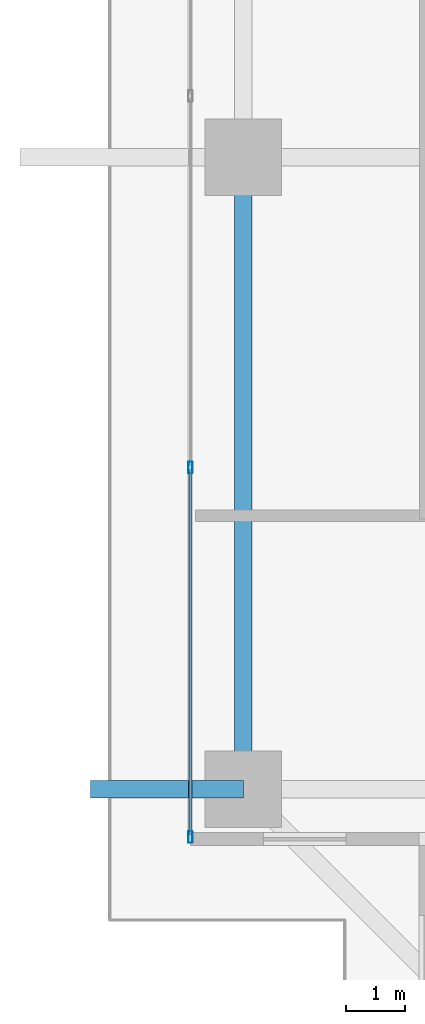
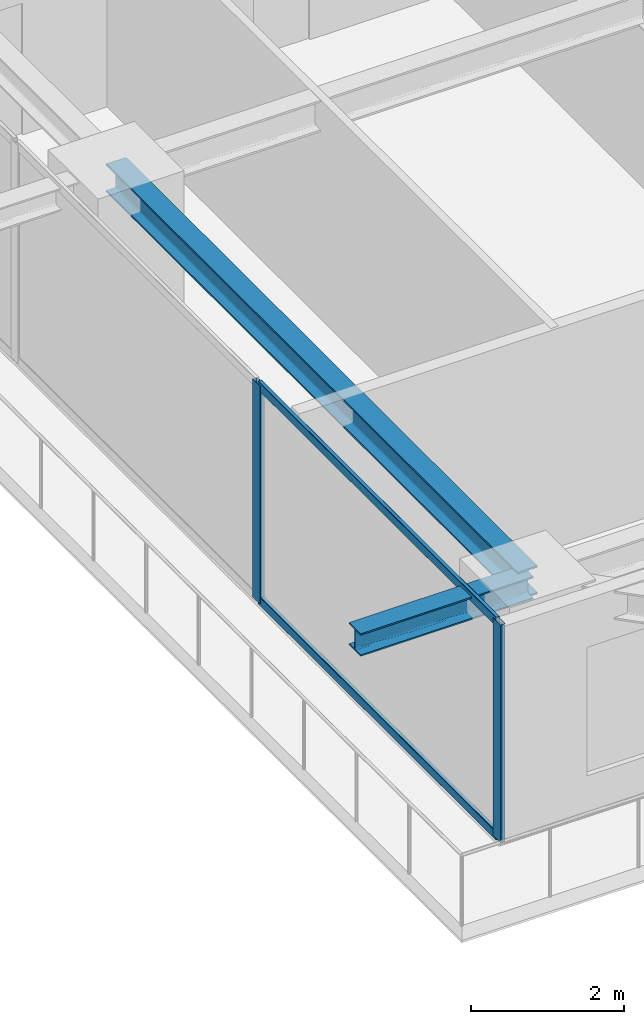
# One storey, part 3 of 34: 4 members, 2 beams, 1 element without a shape of its own.
"""IFC4 building model written with IfcOpenShell, lengths in metres."""

from ifc_helpers import new_model, si_unit, direction, frame, origin, origin_2d, place, context, subcontext, project, spatial, hollow_rectangle, i_section, extrude, source, transform, mapped, material, layer, layer_set, material_profile, profile_set, type_object, element, aggregate, save


model = new_model("IFC4")

# Units and contexts
model_context = context("Model", 3, precision=1e-05, world=origin(), true_north=direction((0.0, 1.0)))
body_context = subcontext(model_context, "Body", "Model", "MODEL_VIEW")
ifc_project = project(units=[si_unit("LENGTHUNIT", "METRE"), si_unit("AREAUNIT", "SQUARE_METRE"), si_unit("VOLUMEUNIT", "CUBIC_METRE"), si_unit("PLANEANGLEUNIT", "RADIAN"), si_unit("MASSUNIT", "GRAM", prefix="KILO")], contexts=[model_context])

# Site, building, storey
site_placement = place(None, origin())
site = spatial("IfcSite", under=ifc_project, at=site_placement, CompositionType="ELEMENT")
building_placement = place(site_placement, origin())
building = spatial("IfcBuilding", under=site, at=building_placement, Name="Serunith Strait Residences", CompositionType="ELEMENT")
storey_placement = place(building_placement, frame((0.0, 0.0, 135.14990234375)))
storey = spatial("IfcBuildingStorey", under=building, at=storey_placement, Name="L33", CompositionType="ELEMENT", Elevation=135.14990234375)

# Beams
ifc_material_1 = material(Name="Steel S355J2", Category="steel")
ifc_material_profile_1 = material_profile(ifc_material_1, i_section(OverallWidth=0.300048828125, OverallDepth=0.449951171875, WebThickness=0.013916015625, FlangeThickness=0.02587890625, FilletRadius=0.027099609375, at=origin_2d()), Name="HEB 450")
ifc_profile_set_1 = profile_set([ifc_material_profile_1], Name="Steel S355J2")
beam_type_1 = type_object("IfcBeamType", Name="BM-HEB450", PredefinedType="BEAM", material=ifc_profile_set_1)
shared_shape_1 = source(origin(), body_context, "Body", "SweptSolid", [
    extrude(i_section(OverallWidth=0.300048828125, OverallDepth=0.449951171875, WebThickness=0.013916015625, FlangeThickness=0.02587890625, FilletRadius=0.027099609375, at=origin_2d()), origin(), (0.0, 0.0, 1.0), 10.75),
])
beam_1_placement = place(storey_placement, frame((8.699951171875, 21.0, 3.26220703125), z_axis=(0.0, -1.0, 0.0), x_axis=(1.0, 0.0, 0.0)))
element("IfcBeam", 1, at=beam_1_placement, inside=storey, type_object=beam_type_1, Name="L33 Perimeter Ring Beam 15", PredefinedType="BEAM", context=body_context, shape_type="MappedRepresentation", body=[
    mapped(shared_shape_1, transform((0.0, 0.0, 0.0), scale=1.0)),
])
ifc_material_profile_2 = material_profile(ifc_material_1, i_section(OverallWidth=0.300048828125, OverallDepth=0.360107421875, WebThickness=0.012451171875, FlangeThickness=0.0224609375, FilletRadius=0.027099609375, at=origin_2d()), Name="HEB 360")
ifc_profile_set_2 = profile_set([ifc_material_profile_2], Name="Steel S355J2")
beam_type_2 = type_object("IfcBeamType", Name="BM-HEB360", PredefinedType="BEAM", material=ifc_profile_set_2)
shared_shape_2 = source(origin(), body_context, "Body", "SweptSolid", [
    extrude(i_section(OverallWidth=0.300048828125, OverallDepth=0.360107421875, WebThickness=0.012451171875, FlangeThickness=0.0224609375, FilletRadius=0.027099609375, at=origin_2d()), origin(), (0.0, 0.0, 1.0), 2.60498046875),
])
beam_2_placement = place(storey_placement, frame((8.699951171875, 10.25, 3.277099609375), z_axis=(-1.0, 0.0, 0.0), x_axis=(0.0, -1.0, 0.0)))
element("IfcBeam", 2, at=beam_2_placement, inside=storey, type_object=beam_type_2, Name="L34 Cantilevered Balcony Rib TC-W1", PredefinedType="BEAM", context=body_context, shape_type="MappedRepresentation", body=[
    mapped(shared_shape_2, transform((0.0, 0.0, 0.0), scale=1.0)),
])

# Curtain wall, members
ifc_material_2 = material(Name="Pale-Champagne Anodised Aluminium", Category="aluminium")
ifc_layer = layer(ifc_material_2, 0.199951171875, Name="Pale-Champagne Anodised Aluminium")
ifc_layer_set = layer_set([ifc_layer], Name="Pale-Champagne Anodised Aluminium")
curtain_wall_type = type_object("IfcCurtainWallType", Name="CW-SYS2", PredefinedType="NOTDEFINED", material=ifc_layer_set)
curtain_wall_placement = place(storey_placement, origin())
curtain_wall = element("IfcCurtainWall", 3, at=curtain_wall_placement, inside=storey, type_object=curtain_wall_type, Name="L33 W Unitised Fritted Curtain Wall", PredefinedType="NOTDEFINED")
ifc_material_profile_3 = material_profile(ifc_material_2, hollow_rectangle(XDim=0.070068359375, YDim=0.199951171875, WallThickness=0.00390625, InnerFilletRadius=0.006103515625, OuterFilletRadius=0.010009765625, at=origin_2d()), Name="ALU 200x70x4")
ifc_profile_set_3 = profile_set([ifc_material_profile_3], Name="Pale-Champagne Anodised Aluminium")
member_type_1 = type_object("IfcMemberType", Name="CW-SYS2-MULL", PredefinedType="MULLION", material=ifc_profile_set_3)
shared_shape_3 = source(origin(), body_context, "Body", "SweptSolid", [
    extrude(hollow_rectangle(XDim=0.070068359375, YDim=0.199951171875, WallThickness=0.00390625, InnerFilletRadius=0.006103515625, OuterFilletRadius=0.010009765625, at=origin_2d()), origin(), (0.0, 0.0, 1.0), 3.47509765625),
])
member_1_placement = place(storey_placement, frame((7.800048828125, 15.719970703125, 0.0), z_axis=(0.0, 0.0, 1.0), x_axis=(1.0, 0.0, 0.0)))
member_1 = element("IfcMember", 4, at=member_1_placement, type_object=member_type_1, Name="CW-2 mullion 5", PredefinedType="MULLION", context=body_context, shape_type="MappedRepresentation", body=[
    mapped(shared_shape_3, transform((0.0, 0.0, 0.0), scale=1.0)),
])
member_2_placement = place(storey_placement, frame((7.800048828125, 9.43505859375, 0.0), z_axis=(0.0, 0.0, 1.0), x_axis=(1.0, 0.0, 0.0)))
member_2 = element("IfcMember", 5, at=member_2_placement, type_object=member_type_1, Name="CW-2 mullion 6", PredefinedType="MULLION", context=body_context, shape_type="MappedRepresentation", body=[
    mapped(shared_shape_3, transform((0.0, 0.0, 0.0), scale=1.0)),
])
ifc_material_profile_4 = material_profile(ifc_material_2, hollow_rectangle(XDim=0.06005859375, YDim=0.139892578125, WallThickness=0.00341796875, InnerFilletRadius=0.00537109375, OuterFilletRadius=0.0087890625, at=origin_2d()), Name="ALU 140x60x3.5")
ifc_profile_set_4 = profile_set([ifc_material_profile_4], Name="Pale-Champagne Anodised Aluminium")
member_type_2 = type_object("IfcMemberType", Name="CW-SYS2-TRAN", PredefinedType="USERDEFINED", material=ifc_profile_set_4)
shared_shape_4 = source(origin(), body_context, "Body", "SweptSolid", [
    extrude(hollow_rectangle(XDim=0.06005859375, YDim=0.139892578125, WallThickness=0.00341796875, InnerFilletRadius=0.00537109375, OuterFilletRadius=0.0087890625, at=origin_2d()), origin(), (0.0, 0.0, 1.0), 6.215087890625),
])
member_3_placement = place(storey_placement, frame((7.800048828125, 15.68505859375, 0.030029296875), z_axis=(0.0, -1.0, 0.0), x_axis=(1.0, 0.0, 0.0)))
member_3 = element("IfcMember", 6, at=member_3_placement, type_object=member_type_2, Name="CW-2 transom 5.1", ObjectType="TRANSOM", PredefinedType="USERDEFINED", context=body_context, shape_type="MappedRepresentation", body=[
    mapped(shared_shape_4, transform((0.0, 0.0, 0.0), scale=1.0)),
])
member_4_placement = place(storey_placement, frame((7.800048828125, 15.68505859375, 3.445068359375), z_axis=(0.0, -1.0, 0.0), x_axis=(1.0, 0.0, 0.0)))
member_4 = element("IfcMember", 7, at=member_4_placement, type_object=member_type_2, Name="CW-2 transom 5.2", ObjectType="TRANSOM", PredefinedType="USERDEFINED", context=body_context, shape_type="MappedRepresentation", body=[
    mapped(shared_shape_4, transform((0.0, 0.0, 0.0), scale=1.0)),
])
aggregate(curtain_wall, [member_1, member_2, member_3, member_4])

save(model, "model.ifc")
